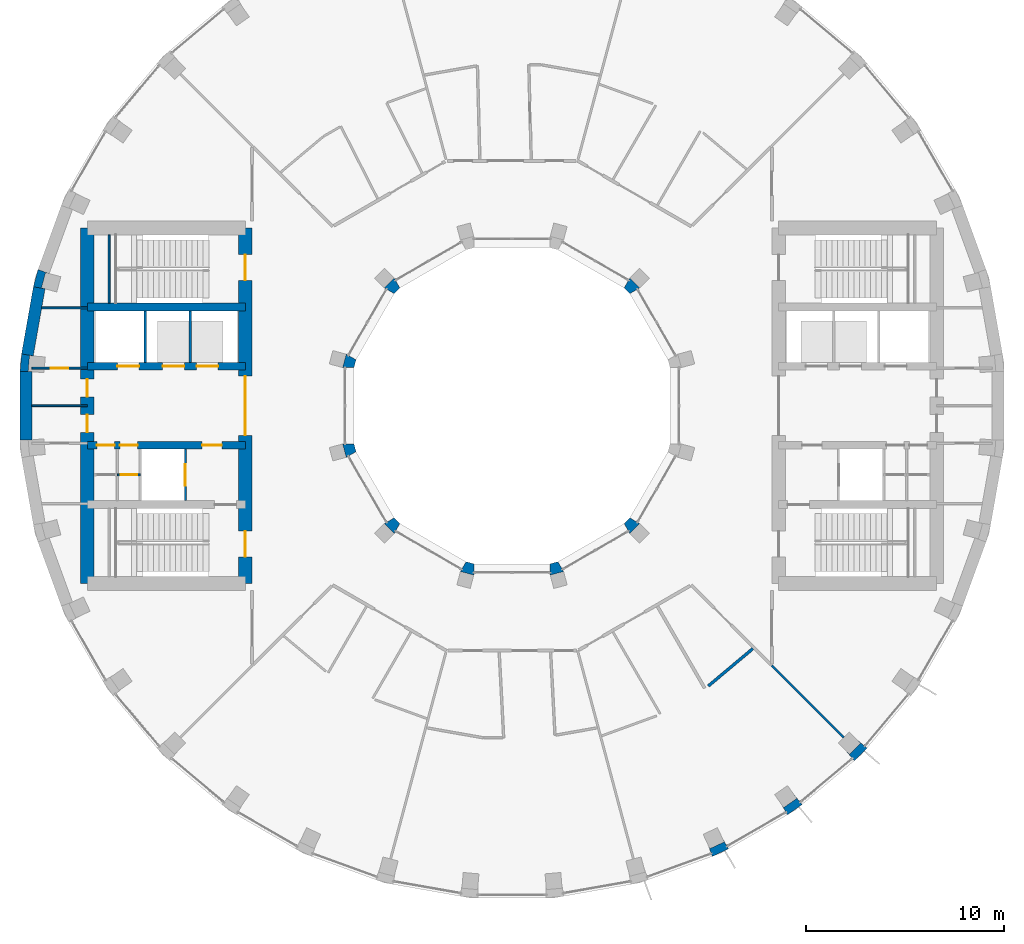
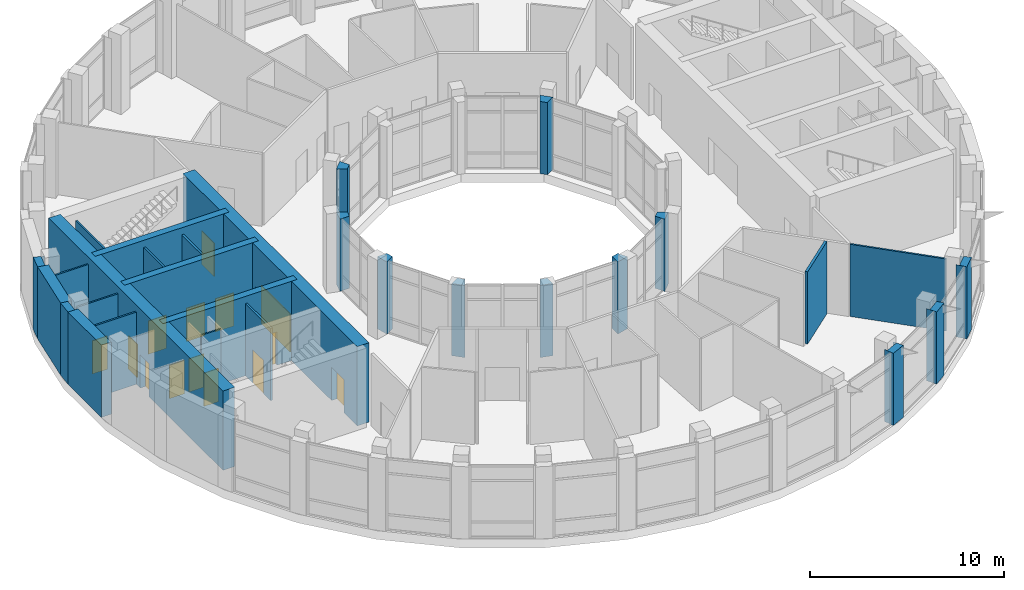
# One storey, part 12 of 18: 30 walls, 14 doors, 14 openings.
"""IFC4 building model written with IfcOpenShell, lengths in metres."""

import ifcopenshell
import ifcopenshell.guid

model = None  # the IFC model being written
_history = None  # IfcOwnerHistory: only IFC2X3 demands one
_inside = {}  # id of a spatial element -> (the spatial element, [elements in it])
_under = {}  # id of a project, library or spatial element -> (it, [spatial elements below it])
_declared = {}  # id of a project -> (the project, [libraries it declares])
_typed = {}  # id of a type object -> (the type object, [elements of that type])
_made_of = {}  # id of a material, layer set ... -> (it, [elements and type objects made of it])


def new_model(schema):
    """Start an empty IFC model of exactly this schema.

    Asked for "IFC4X3", IfcOpenShell would pick the latest addendum, in which some entities
    have other attributes; the version numbers below select the first issue.
    IFC2X3 requires an IfcOwnerHistory on every rooted entity: one is made here for all.
    """
    global model, _history
    if schema == "IFC4X3":
        model = ifcopenshell.file(schema_version=(4, 3, 0, 0))
    else:
        model = ifcopenshell.file(schema=schema)
    _inside.clear()
    _under.clear()
    _declared.clear()
    _typed.clear()
    _made_of.clear()
    _history = None
    if model.schema == "IFC2X3":
        org = make("IfcOrganization", Name="unknown")
        user = make(
            "IfcPersonAndOrganization",
            ThePerson=make("IfcPerson", FamilyName="unknown"),
            TheOrganization=org,
        )
        app = make(
            "IfcApplication",
            ApplicationDeveloper=org,
            Version="unknown",
            ApplicationFullName="unknown",
            ApplicationIdentifier="unknown",
        )
        _history = make(
            "IfcOwnerHistory",
            OwningUser=user,
            OwningApplication=app,
            ChangeAction="ADDED",
            CreationDate=0,
        )
    return model


def make(cls, **values):
    """One entity of the class cls with the attributes given. An attribute that is None is left unset."""
    return model.create_entity(
        cls, **{name: value for name, value in values.items() if value is not None}
    )


def rooted(cls, **values):
    """An entity with a GlobalId (a new one), such as an element, a storey or a relation."""
    return make(cls, GlobalId=ifcopenshell.guid.new(), OwnerHistory=_history, **values)


def si_unit(unit_type, name, prefix=None):
    """IfcSIUnit, for example si_unit("LENGTHUNIT", "METRE", prefix="MILLI")."""
    return make("IfcSIUnit", UnitType=unit_type, Prefix=prefix, Name=name)


def assignment(units):
    """IfcUnitAssignment: the units of a project."""
    return None if units is None else make("IfcUnitAssignment", Units=units)


def point(xyz):
    """IfcCartesianPoint."""
    return None if xyz is None else make("IfcCartesianPoint", Coordinates=xyz)


def direction(xyz):
    """IfcDirection."""
    return None if xyz is None else make("IfcDirection", DirectionRatios=xyz)


def frame(location, z_axis=None, x_axis=None):
    """IfcAxis2Placement3D, a coordinate frame: its origin and axes. An axis left out is left unset."""
    return make(
        "IfcAxis2Placement3D",
        Location=point(location),
        Axis=direction(z_axis),
        RefDirection=direction(x_axis),
    )


def frame_2d(location, x_axis=None):
    """IfcAxis2Placement2D, a coordinate frame in the plane: its origin and x axis."""
    return make(
        "IfcAxis2Placement2D", Location=point(location), RefDirection=direction(x_axis)
    )


def origin():
    """The frame at (0, 0, 0) with its axes left unset."""
    return frame((0.0, 0.0, 0.0))


def place(relative_to, where):
    """IfcLocalPlacement: puts the frame where relative to a parent placement (None: the world)."""
    return make(
        "IfcLocalPlacement", PlacementRelTo=relative_to, RelativePlacement=where
    )


def context(
    kind, dimensions, precision=None, world=None, true_north=None, identifier=None
):
    """IfcGeometricRepresentationContext, for example the 3D "Model" context."""
    return make(
        "IfcGeometricRepresentationContext",
        ContextIdentifier=identifier,
        ContextType=kind,
        CoordinateSpaceDimension=dimensions,
        Precision=precision,
        WorldCoordinateSystem=world,
        TrueNorth=true_north,
    )


def subcontext(parent, identifier, kind, view, scale=None):
    """IfcGeometricRepresentationSubContext, for example "Body" below "Model"."""
    return make(
        "IfcGeometricRepresentationSubContext",
        ContextIdentifier=identifier,
        ContextType=kind,
        ParentContext=parent,
        TargetScale=scale,
        TargetView=view,
    )


def project(units=None, contexts=None):
    """IfcProject with its units and contexts."""
    return rooted(
        "IfcProject",
        Name="project",
        RepresentationContexts=contexts,
        UnitsInContext=assignment(units),
    )


def spatial(cls, under=None, at=None, **own):
    """A site, building, storey or space (cls), placed at a placement, below another one or the project."""
    s = rooted(cls, ObjectPlacement=at, **own)
    if under is not None:
        _under.setdefault(under.id(), (under, []))[1].append(s)
    return s


def polyline(points):
    """IfcPolyline through the points."""
    return make("IfcPolyline", Points=[point(p) for p in points])


def profile(cls, at=None, kind="AREA", **sizes):
    """A parametric profile (cls). Its sizes go by their IFC names, for example OverallWidth=200.0."""
    return make(cls, ProfileType=kind, Position=at, **sizes)


def rectangle(**sizes):
    """IfcRectangleProfileDef."""
    return profile("IfcRectangleProfileDef", **sizes)


def outline(outer, holes=None, kind="AREA"):
    """IfcArbitraryClosedProfileDef: a profile drawn as a closed curve; with holes, ...WithVoids."""
    if holes is None:
        return make("IfcArbitraryClosedProfileDef", ProfileType=kind, OuterCurve=outer)
    return make(
        "IfcArbitraryProfileDefWithVoids",
        ProfileType=kind,
        OuterCurve=outer,
        InnerCurves=holes,
    )


def extrude(swept, where, along, depth):
    """IfcExtrudedAreaSolid: the profile swept, set in the frame where, extruded along a direction by depth."""
    return make(
        "IfcExtrudedAreaSolid",
        SweptArea=swept,
        Position=where,
        ExtrudedDirection=direction(along),
        Depth=depth,
    )


def shape(context_of_items, identifier, shape_type, items):
    """IfcShapeRepresentation: the items that make up one representation, for example the "Body"."""
    return make(
        "IfcShapeRepresentation",
        ContextOfItems=context_of_items,
        RepresentationIdentifier=identifier,
        RepresentationType=shape_type,
        Items=items,
    )


def material(Name=None, Category=None):
    """IfcMaterial."""
    return make("IfcMaterial", Name=Name, Category=Category)


def layer(
    of_material, thickness, ventilated=None, Name=None, Category=None, Priority=None
):
    """IfcMaterialLayer: one layer of a wall or slab, of a material (None: an air gap)."""
    return make(
        "IfcMaterialLayer",
        Material=of_material,
        LayerThickness=thickness,
        IsVentilated=ventilated,
        Name=Name,
        Category=Category,
        Priority=Priority,
    )


def layer_set(layers, Name=None):
    """IfcMaterialLayerSet."""
    return make("IfcMaterialLayerSet", MaterialLayers=layers, LayerSetName=Name)


def made_of(thing, what):
    """Note that an element or type object is made of a material, layer set ...; save() writes the relation."""
    if what is not None:
        _made_of.setdefault(what.id(), (what, []))[1].append(thing)
    return thing


def type_object(cls, material=None, **own):
    """A type object (cls), such as IfcWallType, which elements share."""
    return made_of(rooted(cls, **own), material)


def element(
    cls,
    number,
    at=None,
    inside=None,
    cuts=None,
    type_object=None,
    material=None,
    context=None,
    identifier="Body",
    shape_type=None,
    held_by="IfcProductDefinitionShape",
    body=None,
    shapes=None,
    **own,
):
    """One element of the class cls, such as IfcWall. Its Tag is "e" and its number.

    at: its placement. inside: the storey or other place that contains it. cuts: it is an
    opening in that element (IfcRelVoidsElement). A single representation is given by context,
    identifier, shape_type and body (its items); several are given by shapes. held_by: the class
    of the entity that holds the representations. save() writes the other relations.
    """
    e = rooted(cls, Tag="e%d" % number, ObjectPlacement=at, **own)
    if body is not None:
        shapes = [shape(context, identifier, shape_type, body)]
    if shapes is not None:
        e.Representation = make(held_by, Representations=shapes)
    if inside is not None:
        _inside.setdefault(inside.id(), (inside, []))[1].append(e)
    if cuts is not None:
        rooted(
            "IfcRelVoidsElement", RelatingBuildingElement=cuts, RelatedOpeningElement=e
        )
    if type_object is not None:
        _typed.setdefault(type_object.id(), (type_object, []))[1].append(e)
    return made_of(e, material)


def fill(opening, filler):
    """IfcRelFillsElement: the door or window that sits in an opening."""
    return rooted(
        "IfcRelFillsElement",
        RelatingOpeningElement=opening,
        RelatedBuildingElement=filler,
    )


def aggregate(whole, parts):
    """IfcRelAggregates: a whole, such as a stair, and the parts it consists of."""
    return rooted("IfcRelAggregates", RelatingObject=whole, RelatedObjects=parts)


def save(model, path):
    """Write the relations noted so far, then the file.

    IfcRelAggregates (storeys below a building ...), IfcRelContainedInSpatialStructure (elements
    in a storey), IfcRelDefinesByType, IfcRelAssociatesMaterial and IfcRelDeclares: one each for
    every whole, place, type object, material and project.
    """
    for whole, parts in _under.values():
        aggregate(whole, parts)
    for where, things in _inside.values():
        rooted(
            "IfcRelContainedInSpatialStructure",
            RelatedElements=things,
            RelatingStructure=where,
        )
    for kind, things in _typed.values():
        rooted("IfcRelDefinesByType", RelatedObjects=things, RelatingType=kind)
    for what, things in _made_of.values():
        rooted("IfcRelAssociatesMaterial", RelatedObjects=things, RelatingMaterial=what)
    for by, libraries in _declared.values():
        rooted("IfcRelDeclares", RelatingContext=by, RelatedDefinitions=libraries)
    model.write(path)


model = new_model("IFC4")

# Units and contexts
model_context = context("Model", 3, precision=1e-05, world=origin(), true_north=direction((0.0, 1.0)))
body_context = subcontext(model_context, "Body", "Model", "MODEL_VIEW")
ifc_project = project(units=[si_unit("LENGTHUNIT", "METRE"), si_unit("AREAUNIT", "SQUARE_METRE"), si_unit("VOLUMEUNIT", "CUBIC_METRE"), si_unit("PLANEANGLEUNIT", "RADIAN"), si_unit("MASSUNIT", "GRAM", prefix="KILO")], contexts=[model_context])

# Site, building, storey
site_placement = place(None, origin())
site = spatial("IfcSite", under=ifc_project, at=site_placement, CompositionType="ELEMENT")
building_placement = place(site_placement, origin())
building = spatial("IfcBuilding", under=site, at=building_placement, Name="Saqina Gate Tower", CompositionType="ELEMENT")
storey_placement = place(building_placement, frame((0.0, 0.0, 155.800048828125)))
storey = spatial("IfcBuildingStorey", under=building, at=storey_placement, Name="L44", CompositionType="ELEMENT", Elevation=155.800048828125)

# Walls
ifc_material_1 = material(Name="Brick masonry (buff)", Category="masonry")
wall_type_1 = type_object("IfcWallType", Name="BRICK PIER COPING BUFF", PredefinedType="SOLIDWALL", material=ifc_material_1)
wall_1_placement = place(storey_placement, origin())
element("IfcWall", 1, at=wall_1_placement, inside=storey, type_object=wall_type_1, Name="Pier cap L44 column 17", PredefinedType="SOLIDWALL", context=body_context, shape_type="SweptSolid", body=[
    extrude(outline(polyline([(-24.22705078125, 6.0234375), (-23.635986328125, 5.919189453125), (-23.81689453125, 5.967529296875), (-23.610107421875, 6.740478515625), (-23.428955078125, 6.69189453125), (-23.992919921875, 6.897216796875), (-24.22705078125, 6.0234375)])), origin(), (0.0, 0.0, 1.0), 4.550048828125),
])
wall_2_placement = place(storey_placement, origin())
element("IfcWall", 2, at=wall_2_placement, inside=storey, type_object=wall_type_1, Name="Pier cap L44 column 18", PredefinedType="SOLIDWALL", context=body_context, shape_type="SweptSolid", body=[
    extrude(outline(polyline([(-24.825927734375, 2.6259765625), (-24.90478515625, 1.724853515625), (-24.304931640625, 1.724853515625), (-24.491455078125, 1.7412109375), (-24.421630859375, 2.5380859375), (-24.235107421875, 2.521728515625), (-24.825927734375, 2.6259765625)])), origin(), (0.0, 0.0, 1.0), 4.550048828125),
])
wall_3_placement = place(storey_placement, origin())
element("IfcWall", 3, at=wall_3_placement, inside=storey, type_object=wall_type_1, Name="Pier cap L44 column 30", PredefinedType="SOLIDWALL", context=body_context, shape_type="SweptSolid", body=[
    extrude(outline(polyline([(10.958740234375, -22.4306640625), (10.65869140625, -21.9111328125), (10.73779296875, -22.080810546875), (10.0126953125, -22.4189453125), (9.93359375, -22.249267578125), (10.138916015625, -22.81298828125), (10.958740234375, -22.4306640625)])), origin(), (0.0, 0.0, 1.0), 4.550048828125),
])
wall_4_placement = place(storey_placement, origin())
element("IfcWall", 4, at=wall_4_placement, inside=storey, type_object=wall_type_1, Name="Pier cap L44 column 31", PredefinedType="SOLIDWALL", context=body_context, shape_type="SweptSolid", body=[
    extrude(outline(polyline([(13.9462890625, -20.705810546875), (14.687255859375, -20.18701171875), (14.301513671875, -19.727294921875), (14.408935546875, -19.880859375), (13.753662109375, -20.339599609375), (13.646240234375, -20.186279296875), (13.9462890625, -20.705810546875)])), origin(), (0.0, 0.0, 1.0), 4.550048828125),
])
wall_5_placement = place(storey_placement, origin())
element("IfcWall", 5, at=wall_5_placement, inside=storey, type_object=wall_type_1, Name="Pier cap L44 column 32", PredefinedType="SOLIDWALL", context=body_context, shape_type="SweptSolid", body=[
    extrude(outline(polyline([(17.969482421875, -17.329833984375), (17.510009765625, -16.944091796875), (17.642333984375, -17.07666015625), (17.07666015625, -17.642333984375), (16.944091796875, -17.510009765625), (17.329833984375, -17.969482421875), (17.969482421875, -17.329833984375)])), origin(), (0.0, 0.0, 1.0), 4.550048828125),
])
ifc_material_2 = material(Name="Gypsum board on steel studs", Category="steel")
ifc_layer_1 = layer(ifc_material_2, 0.10009765625)
ifc_layer_set_1 = layer_set([ifc_layer_1], Name="CORE PARTITION")
wall_type_2 = type_object("IfcWallType", Name="CORE PARTITION", PredefinedType="PARTITIONING", material=ifc_layer_set_1)
wall_6_placement = place(storey_placement, frame((-21.5, 4.949951171875, 0.0), z_axis=(0.0, 0.0, 1.0), x_axis=(-1.0, 0.0, 0.0)))
element("IfcWall", 6, at=wall_6_placement, inside=storey, type_object=wall_type_2, Name="L44-CP-W01", PredefinedType="PARTITIONING", context=body_context, shape_type="SweptSolid", body=[
    extrude(rectangle(XDim=2.306884765625, YDim=0.10009765625, at=frame_2d((1.1533203125, 0.0))), origin(), (0.0, 0.0, 1.0), 4.550048828125),
])

# Wall, opening, door
wall_7_placement = place(storey_placement, frame((-21.5, 1.89990234375, 0.0), z_axis=(0.0, 0.0, 1.0), x_axis=(-1.0, 0.0, 0.0)))
wall_7 = element("IfcWall", 7, at=wall_7_placement, inside=storey, type_object=wall_type_2, Name="L44-CP-W02", PredefinedType="PARTITIONING", context=body_context, shape_type="SweptSolid", body=[
    extrude(rectangle(XDim=2.804931640625, YDim=0.10009765625, at=frame_2d((1.40234375, 0.0))), origin(), (0.0, 0.0, 1.0), 4.550048828125),
])
opening_1_placement = place(wall_7_placement, frame((0.952392578125, 0.0, 0.0)))
opening_1 = element("IfcOpeningElement", 8, at=opening_1_placement, cuts=wall_7, Name="Opening L44-D106", PredefinedType="OPENING", context=body_context, shape_type="SweptSolid", body=[
    extrude(rectangle(XDim=0.89990234375, YDim=2.10009765625, at=frame_2d((0.449951171875, 1.050048828125))), frame((0.0, 0.06201171875, 0.0), z_axis=(0.0, -1.0, 0.0), x_axis=(1.0, 0.0, 0.0)), (0.0, 0.0, 1.0), 0.1240234375),
])
ifc_material_3 = material(Name="Steel-framed fire door leaf, EI 60", Category="steel")
door_type_1 = type_object("IfcDoorType", Name="SERVICE ROOM DOOR 900", OperationType="SINGLE_SWING_LEFT", PredefinedType="DOOR", material=ifc_material_3)
door_1_placement = place(opening_1_placement, frame((0.89990234375, 0.0, 0.0), z_axis=(0.0, 0.0, 1.0), x_axis=(-1.0, 0.0, 0.0)))
door_1 = element("IfcDoor", 9, at=door_1_placement, inside=storey, type_object=door_type_1, Name="L44-CD-W17", OperationType="SINGLE_SWING_RIGHT", OverallHeight=2.10009765625, OverallWidth=0.89990234375, PredefinedType="DOOR", context=body_context, shape_type="SweptSolid", body=[
    extrude(rectangle(XDim=0.89990234375, YDim=2.10009765625, at=frame_2d((0.449951171875, 1.050048828125))), frame((0.0, 0.02490234375, 0.0), z_axis=(0.0, -1.0, 0.0), x_axis=(1.0, 0.0, 0.0)), (0.0, 0.0, 1.0), 0.050048828125),
])
fill(opening_1, door_1)

# Wall
wall_8_placement = place(storey_placement, frame((-21.5, 0.0, 0.0), z_axis=(0.0, 0.0, 1.0), x_axis=(-1.0, 0.0, 0.0)))
element("IfcWall", 10, at=wall_8_placement, inside=storey, type_object=wall_type_2, Name="L44-CP-W05", PredefinedType="PARTITIONING", context=body_context, shape_type="SweptSolid", body=[
    extrude(rectangle(XDim=2.804931640625, YDim=0.10009765625, at=frame_2d((1.40234375, 0.0))), origin(), (0.0, 0.0, 1.0), 4.550048828125),
])

# Wall, opening, door
wall_9_placement = place(storey_placement, frame((-18.81005859375, -3.5, 0.0), z_axis=(0.0, 0.0, 1.0), x_axis=(-1.0, 0.0, 0.0)))
wall_9 = element("IfcWall", 11, at=wall_9_placement, inside=storey, type_object=wall_type_2, Name="L44-CP-W11", PredefinedType="PARTITIONING", context=body_context, shape_type="SweptSolid", body=[
    extrude(rectangle(XDim=1.169921875, YDim=0.10009765625, at=frame_2d((0.5849609375, 0.0))), origin(), (0.0, 0.0, 1.0), 4.550048828125),
])
opening_2_placement = place(wall_9_placement, frame((0.14990234375, 0.0, 0.0)))
opening_2 = element("IfcOpeningElement", 12, at=opening_2_placement, cuts=wall_9, Name="Opening L44-D110", PredefinedType="OPENING", context=body_context, shape_type="SweptSolid", body=[
    extrude(rectangle(XDim=0.85009765625, YDim=2.10009765625, at=frame_2d((0.425048828125, 1.050048828125))), frame((0.0, 0.06201171875, 0.0), z_axis=(0.0, -1.0, 0.0), x_axis=(1.0, 0.0, 0.0)), (0.0, 0.0, 1.0), 0.1240234375),
])
ifc_material_4 = material(Name="Steel-framed fire door leaf, EI 60", Category="steel")
door_type_2 = type_object("IfcDoorType", Name="SERVICE ROOM DOOR 850", OperationType="SINGLE_SWING_LEFT", PredefinedType="DOOR", material=ifc_material_4)
door_2_placement = place(opening_2_placement, origin())
door_2 = element("IfcDoor", 13, at=door_2_placement, inside=storey, type_object=door_type_2, Name="L44-CD-W21", OperationType="SINGLE_SWING_LEFT", OverallHeight=2.10009765625, OverallWidth=0.85009765625, PredefinedType="DOOR", context=body_context, shape_type="SweptSolid", body=[
    extrude(rectangle(XDim=0.85009765625, YDim=2.10009765625, at=frame_2d((0.425048828125, 1.050048828125))), frame((0.0, 0.02490234375, 0.0), z_axis=(0.0, -1.0, 0.0), x_axis=(1.0, 0.0, 0.0)), (0.0, 0.0, 1.0), 0.050048828125),
])
fill(opening_2, door_2)

# Walls
ifc_material_5 = material(Name="Glazed ceramic tile", Category="ceramic")
ifc_layer_2 = layer(ifc_material_5, 0.60009765625)
ifc_layer_set_2 = layer_set([ifc_layer_2], Name="FW-TILE")
wall_type_3 = type_object("IfcWallType", Name="FW-TILE", PredefinedType="SOLIDWALL", material=ifc_layer_set_2)
wall_10_placement = place(storey_placement, frame((-23.931640625, 5.97119140625, 0.0), z_axis=(0.0, 0.0, 1.0), x_axis=(-0.173607684551, -0.984814892183, 0.0)))
element("IfcWall", 14, at=wall_10_placement, inside=storey, type_object=wall_type_3, Name="Facade wall L44 facet 17", PredefinedType="SOLIDWALL", context=body_context, shape_type="SweptSolid", body=[
    extrude(rectangle(XDim=3.44970703125, YDim=0.60009765625, at=frame_2d((1.724853515625, 0.0))), origin(), (0.0, 0.0, 1.0), 4.550048828125),
])
ifc_material_6 = material(Name="Glazed ceramic tile (dark blue)", Category="ceramic")
ifc_layer_3 = layer(ifc_material_6, 0.60009765625)
ifc_layer_set_3 = layer_set([ifc_layer_3], Name="FW-TILE-CB")
wall_type_4 = type_object("IfcWallType", Name="FW-TILE-CB", PredefinedType="SOLIDWALL", material=ifc_layer_set_3)
wall_11_placement = place(storey_placement, frame((-24.60498046875, 1.724853515625, 0.0), z_axis=(0.0, 0.0, 1.0), x_axis=(0.0, -1.0, 0.0)))
element("IfcWall", 15, at=wall_11_placement, inside=storey, type_object=wall_type_4, Name="Facade wall L44 facet 18", PredefinedType="SOLIDWALL", context=body_context, shape_type="SweptSolid", body=[
    extrude(rectangle(XDim=3.44970703125, YDim=0.60009765625, at=frame_2d((1.724853515625, 0.0))), origin(), (0.0, 0.0, 1.0), 4.550048828125),
])
ifc_material_7 = material(Name="Autoclaved aerated concrete block", Category="concrete")
ifc_layer_4 = layer(ifc_material_7, 0.1201171875)
ifc_layer_set_4 = layer_set([ifc_layer_4], Name="SHAFT PARTITION")
wall_type_5 = type_object("IfcWallType", Name="SHAFT PARTITION", PredefinedType="PARTITIONING", material=ifc_layer_set_4)
for number, where, z_axis, x_axis, name in (
    (16, (-16.280029296875, 2.199951171875, 0.0), (0.0, 0.0, 1.0), (0.0, 1.0, 0.0), "L44-CP-W06"),
    (17, (-18.56005859375, 2.199951171875, 0.0), (0.0, 0.0, 1.0), (0.0, 1.0, 0.0), "L44-CP-W07"),
):
    element("IfcWall", number, at=place(storey_placement, frame(where, z_axis=z_axis, x_axis=x_axis)), inside=storey, type_object=wall_type_5, Name=name, PredefinedType="PARTITIONING", context=body_context, shape_type="SweptSolid", body=[
        extrude(rectangle(XDim=2.60009765625, YDim=0.1201171875, at=frame_2d((1.300048828125, 0.0))), origin(), (0.0, 0.0, 1.0), 4.550048828125),
    ])

# Wall, opening, door
wall_12_placement = place(storey_placement, frame((-16.530029296875, -4.800048828125, 0.0), z_axis=(0.0, 0.0, 1.0), x_axis=(0.0, 1.0, 0.0)))
wall_12 = element("IfcWall", 18, at=wall_12_placement, inside=storey, type_object=wall_type_5, Name="L44-CP-W08", PredefinedType="PARTITIONING", context=body_context, shape_type="SweptSolid", body=[
    extrude(rectangle(XDim=2.60009765625, YDim=0.1201171875, at=frame_2d((1.300048828125, 0.0))), origin(), (0.0, 0.0, 1.0), 4.550048828125),
])
opening_3_placement = place(wall_12_placement, frame((0.75, 0.0, 0.0)))
opening_3 = element("IfcOpeningElement", 19, at=opening_3_placement, cuts=wall_12, Name="Opening L44-LD8", PredefinedType="OPENING", context=body_context, shape_type="SweptSolid", body=[
    extrude(rectangle(XDim=1.10009765625, YDim=2.10009765625, at=frame_2d((0.550048828125, 1.050048828125))), frame((0.0, 0.072021484375, 0.0), z_axis=(0.0, -1.0, 0.0), x_axis=(1.0, 0.0, 0.0)), (0.0, 0.0, 1.0), 0.14404296875),
])
ifc_material_8 = material(Name="Stainless steel", Category="steel")
door_type_3 = type_object("IfcDoorType", Name="LANDING DOOR", OperationType="DOUBLE_DOOR_SLIDING", PredefinedType="DOOR", material=ifc_material_8)
door_3_placement = place(opening_3_placement, origin())
door_3 = element("IfcDoor", 20, at=door_3_placement, inside=storey, type_object=door_type_3, Name="LANDING DOOR FF2", OperationType="DOUBLE_DOOR_SLIDING", OverallHeight=2.10009765625, OverallWidth=1.10009765625, PredefinedType="DOOR", context=body_context, shape_type="SweptSolid", body=[
    extrude(rectangle(XDim=1.10009765625, YDim=2.10009765625, at=frame_2d((0.550048828125, 1.050048828125))), frame((0.0, 0.02490234375, 0.0), z_axis=(0.0, -1.0, 0.0), x_axis=(1.0, 0.0, 0.0)), (0.0, 0.0, 1.0), 0.050048828125),
])
fill(opening_3, door_3)

# Walls
ifc_material_9 = material(Name="Gypsum board on steel studs, 100 mm", Category="steel")
ifc_layer_5 = layer(ifc_material_9, 0.10009765625)
ifc_layer_set_5 = layer_set([ifc_layer_5], Name="SPECIAL PARTITION 100")
wall_type_6 = type_object("IfcWallType", Name="SPECIAL PARTITION 100", PredefinedType="PARTITIONING", material=ifc_layer_set_5)
wall_13_placement = place(storey_placement, frame((13.14990234375, -13.14990234375, 0.0), z_axis=(0.0, 0.0, 1.0), x_axis=(0.707106781187, -0.707106781187, 0.0)))
element("IfcWall", 21, at=wall_13_placement, inside=storey, type_object=wall_type_6, Name="PARTITION 012", PredefinedType="PARTITIONING", context=body_context, shape_type="SweptSolid", body=[
    extrude(rectangle(XDim=5.14306640625, YDim=0.10009765625, at=frame_2d((2.571533203125, 0.0))), origin(), (0.0, 0.0, 1.0), 4.550048828125),
])
ifc_material_10 = material(Name="Masonry block and plaster, 150 mm, fire rated", Category="masonry")
ifc_layer_6 = layer(ifc_material_10, 0.14990234375)
ifc_layer_set_6 = layer_set([ifc_layer_6], Name="SPECIAL PARTITION EI 60 150")
wall_type_7 = type_object("IfcWallType", Name="SPECIAL PARTITION EI 60 150", PredefinedType="PARTITIONING", material=ifc_layer_set_6)
wall_14_placement = place(storey_placement, frame((9.93505859375, -14.18798828125, 0.0), z_axis=(0.0, 0.0, 1.0), x_axis=(0.766150707514, 0.642660947448, 0.0)))
element("IfcWall", 22, at=wall_14_placement, inside=storey, type_object=wall_type_7, Name="PARTITION 034", PredefinedType="PARTITIONING", context=body_context, shape_type="SweptSolid", body=[
    extrude(rectangle(XDim=2.94384765625, YDim=0.14990234375, at=frame_2d((1.471923828125, 0.0))), origin(), (0.0, 0.0, 1.0), 4.550048828125),
])
ifc_material_11 = material(Name="Autoclaved aerated concrete block", Category="concrete")
ifc_layer_7 = layer(ifc_material_11, 0.10009765625)
ifc_layer_set_7 = layer_set([ifc_layer_7], Name="STAIR ENCLOSURE WALL")
wall_type_8 = type_object("IfcWallType", Name="STAIR ENCLOSURE WALL", PredefinedType="PARTITIONING", material=ifc_layer_set_7)
wall_15_placement = place(storey_placement, frame((-20.389892578125, 5.199951171875, 0.0), z_axis=(0.0, 0.0, 1.0), x_axis=(0.0, 1.0, 0.0)))
element("IfcWall", 23, at=wall_15_placement, inside=storey, type_object=wall_type_8, Name="L44-CP-W13", PredefinedType="PARTITIONING", context=body_context, shape_type="SweptSolid", body=[
    extrude(rectangle(XDim=3.449951171875, YDim=0.10009765625, at=frame_2d((1.72509765625, 0.0))), origin(), (0.0, 0.0, 1.0), 4.550048828125),
])
ifc_material_12 = material(Name="Concrete C60/75", Category="concrete")
ifc_layer_8 = layer(ifc_material_12, 0.39990234375)
ifc_layer_set_8 = layer_set([ifc_layer_8], Name="Concrete C60/75")
wall_type_9 = type_object("IfcWallType", Name="STR-CORE WALL-C-I", PredefinedType="SHEAR", material=ifc_layer_set_8)
wall_16_placement = place(storey_placement, frame((-13.5, 5.0, 0.0), z_axis=(0.0, 0.0, 1.0), x_axis=(-1.0, 0.0, 0.0)))
element("IfcWall", 24, at=wall_16_placement, inside=storey, type_object=wall_type_9, Name="CORE WALL L44 W-X1", PredefinedType="SHEAR", context=body_context, shape_type="SweptSolid", body=[
    extrude(rectangle(XDim=8.0, YDim=0.39990234375, at=frame_2d((4.0, 0.0))), origin(), (0.0, 0.0, 1.0), 5.0),
])

# Wall, openings, doors
wall_17_placement = place(storey_placement, frame((-13.5, 2.0, 0.0), z_axis=(0.0, 0.0, 1.0), x_axis=(-1.0, 0.0, 0.0)))
wall_17 = element("IfcWall", 25, at=wall_17_placement, inside=storey, type_object=wall_type_9, Name="CORE WALL L44 W-L1", PredefinedType="SHEAR", context=body_context, shape_type="SweptSolid", body=[
    extrude(rectangle(XDim=8.0, YDim=0.39990234375, at=frame_2d((4.0, 0.0))), origin(), (0.0, 0.0, 1.0), 5.0),
])
opening_4_placement = place(wall_17_placement, frame((1.3701171875, 0.0, 0.0)))
opening_4 = element("IfcOpeningElement", 26, at=opening_4_placement, cuts=wall_17, Name="Opening L44-LD5", PredefinedType="OPENING", context=body_context, shape_type="SweptSolid", body=[
    extrude(rectangle(XDim=1.10009765625, YDim=2.10009765625, at=frame_2d((0.550048828125, 1.050048828125))), frame((0.0, 0.2119140625, 0.0), z_axis=(0.0, -1.0, 0.0), x_axis=(1.0, 0.0, 0.0)), (0.0, 0.0, 1.0), 0.423828125),
])
opening_5_placement = place(wall_17_placement, frame((3.090087890625, 0.0, 0.0)))
opening_5 = element("IfcOpeningElement", 27, at=opening_5_placement, cuts=wall_17, Name="Opening L44-LD6", PredefinedType="OPENING", context=body_context, shape_type="SweptSolid", body=[
    extrude(rectangle(XDim=1.10009765625, YDim=2.10009765625, at=frame_2d((0.550048828125, 1.050048828125))), frame((0.0, 0.2119140625, 0.0), z_axis=(0.0, -1.0, 0.0), x_axis=(1.0, 0.0, 0.0)), (0.0, 0.0, 1.0), 0.423828125),
])
opening_6_placement = place(wall_17_placement, frame((5.3701171875, 0.0, 0.0)))
opening_6 = element("IfcOpeningElement", 28, at=opening_6_placement, cuts=wall_17, Name="Opening L44-LD7", PredefinedType="OPENING", context=body_context, shape_type="SweptSolid", body=[
    extrude(rectangle(XDim=1.10009765625, YDim=2.10009765625, at=frame_2d((0.550048828125, 1.050048828125))), frame((0.0, 0.2119140625, 0.0), z_axis=(0.0, -1.0, 0.0), x_axis=(1.0, 0.0, 0.0)), (0.0, 0.0, 1.0), 0.423828125),
])
door_4_placement = place(opening_4_placement, origin())
door_4 = element("IfcDoor", 29, at=door_4_placement, inside=storey, type_object=door_type_3, Name="LANDING DOOR HR3", OperationType="DOUBLE_DOOR_SLIDING", OverallHeight=2.10009765625, OverallWidth=1.10009765625, PredefinedType="DOOR", context=body_context, shape_type="SweptSolid", body=[
    extrude(rectangle(XDim=1.10009765625, YDim=2.10009765625, at=frame_2d((0.550048828125, 1.050048828125))), frame((0.0, 0.02490234375, 0.0), z_axis=(0.0, -1.0, 0.0), x_axis=(1.0, 0.0, 0.0)), (0.0, 0.0, 1.0), 0.050048828125),
])
fill(opening_4, door_4)
door_5_placement = place(opening_5_placement, origin())
door_5 = element("IfcDoor", 30, at=door_5_placement, inside=storey, type_object=door_type_3, Name="LANDING DOOR HR4", OperationType="DOUBLE_DOOR_SLIDING", OverallHeight=2.10009765625, OverallWidth=1.10009765625, PredefinedType="DOOR", context=body_context, shape_type="SweptSolid", body=[
    extrude(rectangle(XDim=1.10009765625, YDim=2.10009765625, at=frame_2d((0.550048828125, 1.050048828125))), frame((0.0, 0.02490234375, 0.0), z_axis=(0.0, -1.0, 0.0), x_axis=(1.0, 0.0, 0.0)), (0.0, 0.0, 1.0), 0.050048828125),
])
fill(opening_5, door_5)
door_6_placement = place(opening_6_placement, origin())
door_6 = element("IfcDoor", 31, at=door_6_placement, inside=storey, type_object=door_type_3, Name="LANDING DOOR MR2", OperationType="DOUBLE_DOOR_SLIDING", OverallHeight=2.10009765625, OverallWidth=1.10009765625, PredefinedType="DOOR", context=body_context, shape_type="SweptSolid", body=[
    extrude(rectangle(XDim=1.10009765625, YDim=2.10009765625, at=frame_2d((0.550048828125, 1.050048828125))), frame((0.0, 0.02490234375, 0.0), z_axis=(0.0, -1.0, 0.0), x_axis=(1.0, 0.0, 0.0)), (0.0, 0.0, 1.0), 0.050048828125),
])
fill(opening_6, door_6)

wall_18_placement = place(storey_placement, frame((-13.5, -2.0, 0.0), z_axis=(0.0, 0.0, 1.0), x_axis=(-1.0, 0.0, 0.0)))
wall_18 = element("IfcWall", 32, at=wall_18_placement, inside=storey, type_object=wall_type_9, Name="CORE WALL L44 W-L2", PredefinedType="SHEAR", context=body_context, shape_type="SweptSolid", body=[
    extrude(rectangle(XDim=8.0, YDim=0.39990234375, at=frame_2d((4.0, 0.0))), origin(), (0.0, 0.0, 1.0), 5.0),
])
opening_7_placement = place(wall_18_placement, frame((1.18994140625, 0.0, 0.0)))
opening_7 = element("IfcOpeningElement", 33, at=opening_7_placement, cuts=wall_18, Name="Opening L44-D103", PredefinedType="OPENING", context=body_context, shape_type="SweptSolid", body=[
    extrude(rectangle(XDim=1.0, YDim=2.10009765625, at=frame_2d((0.5, 1.050048828125))), frame((0.0, 0.2119140625, 0.0), z_axis=(0.0, -1.0, 0.0), x_axis=(1.0, 0.0, 0.0)), (0.0, 0.0, 1.0), 0.423828125),
])
opening_8_placement = place(wall_18_placement, frame((5.445068359375, 0.0, 0.0)))
opening_8 = element("IfcOpeningElement", 34, at=opening_8_placement, cuts=wall_18, Name="Opening L44-D104", PredefinedType="OPENING", context=body_context, shape_type="SweptSolid", body=[
    extrude(rectangle(XDim=0.89990234375, YDim=2.10009765625, at=frame_2d((0.449951171875, 1.050048828125))), frame((0.0, 0.2119140625, 0.0), z_axis=(0.0, -1.0, 0.0), x_axis=(1.0, 0.0, 0.0)), (0.0, 0.0, 1.0), 0.423828125),
])
opening_9_placement = place(wall_18_placement, frame((6.614990234375, 0.0, 0.0)))
opening_9 = element("IfcOpeningElement", 35, at=opening_9_placement, cuts=wall_18, Name="Opening L44-D105", PredefinedType="OPENING", context=body_context, shape_type="SweptSolid", body=[
    extrude(rectangle(XDim=0.89990234375, YDim=2.10009765625, at=frame_2d((0.449951171875, 1.050048828125))), frame((0.0, 0.2119140625, 0.0), z_axis=(0.0, -1.0, 0.0), x_axis=(1.0, 0.0, 0.0)), (0.0, 0.0, 1.0), 0.423828125),
])
ifc_material_13 = material(Name="Steel", Category="steel")
door_type_4 = type_object("IfcDoorType", Name="FIRE LOBBY DOOR EI 60", OperationType="SINGLE_SWING_LEFT", PredefinedType="DOOR", material=ifc_material_13)
door_7_placement = place(opening_7_placement, frame((1.0, 0.0, 0.0), z_axis=(0.0, 0.0, 1.0), x_axis=(-1.0, 0.0, 0.0)))
door_7 = element("IfcDoor", 36, at=door_7_placement, inside=storey, type_object=door_type_4, Name="L44-CD-W14", OperationType="SINGLE_SWING_RIGHT", OverallHeight=2.10009765625, OverallWidth=1.0, PredefinedType="DOOR", context=body_context, shape_type="SweptSolid", body=[
    extrude(rectangle(XDim=1.0, YDim=2.10009765625, at=frame_2d((0.5, 1.050048828125))), frame((0.0, 0.02490234375, 0.0), z_axis=(0.0, -1.0, 0.0), x_axis=(1.0, 0.0, 0.0)), (0.0, 0.0, 1.0), 0.050048828125),
])
fill(opening_7, door_7)
door_8_placement = place(opening_8_placement, origin())
door_8 = element("IfcDoor", 37, at=door_8_placement, inside=storey, type_object=door_type_1, Name="L44-CD-W15", OperationType="SINGLE_SWING_LEFT", OverallHeight=2.10009765625, OverallWidth=0.89990234375, PredefinedType="DOOR", context=body_context, shape_type="SweptSolid", body=[
    extrude(rectangle(XDim=0.89990234375, YDim=2.10009765625, at=frame_2d((0.449951171875, 1.050048828125))), frame((0.0, 0.02490234375, 0.0), z_axis=(0.0, -1.0, 0.0), x_axis=(1.0, 0.0, 0.0)), (0.0, 0.0, 1.0), 0.050048828125),
])
fill(opening_8, door_8)
door_9_placement = place(opening_9_placement, origin())
door_9 = element("IfcDoor", 38, at=door_9_placement, inside=storey, type_object=door_type_1, Name="L44-CD-W16", OperationType="SINGLE_SWING_RIGHT", OverallHeight=2.10009765625, OverallWidth=0.89990234375, PredefinedType="DOOR", context=body_context, shape_type="SweptSolid", body=[
    extrude(rectangle(XDim=0.89990234375, YDim=2.10009765625, at=frame_2d((0.449951171875, 1.050048828125))), frame((0.0, 0.02490234375, 0.0), z_axis=(0.0, -1.0, 0.0), x_axis=(1.0, 0.0, 0.0)), (0.0, 0.0, 1.0), 0.050048828125),
])
fill(opening_9, door_9)

ifc_material_14 = material(Name="Concrete C60/75", Category="concrete")
ifc_layer_9 = layer(ifc_material_14, 0.699951171875)
ifc_layer_set_9 = layer_set([ifc_layer_9], Name="Concrete C60/75")
wall_type_10 = type_object("IfcWallType", Name="STR-CORE WALL-C-O", PredefinedType="SHEAR", material=ifc_layer_set_9)
wall_19_placement = place(storey_placement, frame((-13.5, -9.0, 0.0), z_axis=(0.0, 0.0, 1.0), x_axis=(0.0, 1.0, 0.0)))
wall_19 = element("IfcWall", 39, at=wall_19_placement, inside=storey, type_object=wall_type_10, Name="CORE WALL L44 W-W1", PredefinedType="SHEAR", context=body_context, shape_type="SweptSolid", body=[
    extrude(rectangle(XDim=18.0, YDim=0.699951171875, at=frame_2d((9.0, 0.0))), origin(), (0.0, 0.0, 1.0), 5.0),
])
opening_10_placement = place(wall_19_placement, frame((15.35009765625, 0.0, 0.0)))
opening_10 = element("IfcOpeningElement", 40, at=opening_10_placement, cuts=wall_19, Name="Opening L44-D113", PredefinedType="OPENING", context=body_context, shape_type="SweptSolid", body=[
    extrude(rectangle(XDim=1.300048828125, YDim=2.10009765625, at=frame_2d((0.64990234375, 1.050048828125))), frame((0.0, 0.362060546875, 0.0), z_axis=(0.0, -1.0, 0.0), x_axis=(1.0, 0.0, 0.0)), (0.0, 0.0, 1.0), 0.723876953125),
])
opening_11_placement = place(wall_19_placement, frame((1.35009765625, 0.0, 0.0)))
opening_11 = element("IfcOpeningElement", 41, at=opening_11_placement, cuts=wall_19, Name="Opening L44-D114", PredefinedType="OPENING", context=body_context, shape_type="SweptSolid", body=[
    extrude(rectangle(XDim=1.300048828125, YDim=2.10009765625, at=frame_2d((0.64990234375, 1.050048828125))), frame((0.0, 0.362060546875, 0.0), z_axis=(0.0, -1.0, 0.0), x_axis=(1.0, 0.0, 0.0)), (0.0, 0.0, 1.0), 0.723876953125),
])
opening_12_placement = place(wall_19_placement, frame((7.5, 0.0, 0.0)))
opening_12 = element("IfcOpeningElement", 42, at=opening_12_placement, cuts=wall_19, Name="Opening L44-D115", PredefinedType="OPENING", context=body_context, shape_type="SweptSolid", body=[
    extrude(rectangle(XDim=3.0, YDim=2.39990234375, at=frame_2d((1.5, 1.199951171875))), frame((0.0, 0.362060546875, 0.0), z_axis=(0.0, -1.0, 0.0), x_axis=(1.0, 0.0, 0.0)), (0.0, 0.0, 1.0), 0.723876953125),
])
ifc_material_15 = material(Name="Steel", Category="steel")
door_type_5 = type_object("IfcDoorType", Name="FIRE DOOR EI 60 1300", OperationType="DOUBLE_DOOR_SINGLE_SWING", PredefinedType="DOOR", material=ifc_material_15)
door_10_placement = place(opening_10_placement, origin())
door_10 = element("IfcDoor", 43, at=door_10_placement, inside=storey, type_object=door_type_5, Name="L44-CD-W24", OperationType="DOUBLE_DOOR_SINGLE_SWING", OverallHeight=2.10009765625, OverallWidth=1.300048828125, PredefinedType="DOOR", context=body_context, shape_type="SweptSolid", body=[
    extrude(rectangle(XDim=1.300048828125, YDim=2.10009765625, at=frame_2d((0.64990234375, 1.050048828125))), frame((0.0, 0.02490234375, 0.0), z_axis=(0.0, -1.0, 0.0), x_axis=(1.0, 0.0, 0.0)), (0.0, 0.0, 1.0), 0.050048828125),
])
fill(opening_10, door_10)
door_11_placement = place(opening_11_placement, origin())
door_11 = element("IfcDoor", 44, at=door_11_placement, inside=storey, type_object=door_type_5, Name="L44-CD-W25", OperationType="DOUBLE_DOOR_SINGLE_SWING", OverallHeight=2.10009765625, OverallWidth=1.300048828125, PredefinedType="DOOR", context=body_context, shape_type="SweptSolid", body=[
    extrude(rectangle(XDim=1.300048828125, YDim=2.10009765625, at=frame_2d((0.64990234375, 1.050048828125))), frame((0.0, 0.02490234375, 0.0), z_axis=(0.0, -1.0, 0.0), x_axis=(1.0, 0.0, 0.0)), (0.0, 0.0, 1.0), 0.050048828125),
])
fill(opening_11, door_11)
ifc_material_16 = material(Name="Steel and fire-resisting glass", Category="steel")
door_type_6 = type_object("IfcDoorType", Name="LOBBY SCREEN DOOR", OperationType="DOUBLE_DOOR_SLIDING", PredefinedType="DOOR", material=ifc_material_16)
door_12_placement = place(opening_12_placement, origin())
door_12 = element("IfcDoor", 45, at=door_12_placement, inside=storey, type_object=door_type_6, Name="L44-CD-W26", OperationType="DOUBLE_DOOR_SLIDING", OverallHeight=2.39990234375, OverallWidth=3.0, PredefinedType="DOOR", context=body_context, shape_type="SweptSolid", body=[
    extrude(rectangle(XDim=3.0, YDim=2.39990234375, at=frame_2d((1.5, 1.199951171875))), frame((0.0, 0.02490234375, 0.0), z_axis=(0.0, -1.0, 0.0), x_axis=(1.0, 0.0, 0.0)), (0.0, 0.0, 1.0), 0.050048828125),
])
fill(opening_12, door_12)

wall_20_placement = place(storey_placement, frame((-21.5, -9.0, 0.0), z_axis=(0.0, 0.0, 1.0), x_axis=(0.0, 1.0, 0.0)))
wall_20 = element("IfcWall", 46, at=wall_20_placement, inside=storey, type_object=wall_type_10, Name="CORE WALL L44 W-W2", PredefinedType="SHEAR", context=body_context, shape_type="SweptSolid", body=[
    extrude(rectangle(XDim=18.0, YDim=0.699951171875, at=frame_2d((9.0, 0.0))), origin(), (0.0, 0.0, 1.0), 5.0),
])
opening_13_placement = place(wall_20_placement, frame((9.449951171875, 0.0, 0.0)))
opening_13 = element("IfcOpeningElement", 47, at=opening_13_placement, cuts=wall_20, Name="Opening L44-D107", PredefinedType="OPENING", context=body_context, shape_type="SweptSolid", body=[
    extrude(rectangle(XDim=0.89990234375, YDim=2.10009765625, at=frame_2d((0.449951171875, 1.050048828125))), frame((0.0, 0.362060546875, 0.0), z_axis=(0.0, -1.0, 0.0), x_axis=(1.0, 0.0, 0.0)), (0.0, 0.0, 1.0), 0.723876953125),
])
opening_14_placement = place(wall_20_placement, frame((7.64990234375, 0.0, 0.0)))
opening_14 = element("IfcOpeningElement", 48, at=opening_14_placement, cuts=wall_20, Name="Opening L44-D109", PredefinedType="OPENING", context=body_context, shape_type="SweptSolid", body=[
    extrude(rectangle(XDim=0.89990234375, YDim=2.10009765625, at=frame_2d((0.449951171875, 1.050048828125))), frame((0.0, 0.362060546875, 0.0), z_axis=(0.0, -1.0, 0.0), x_axis=(1.0, 0.0, 0.0)), (0.0, 0.0, 1.0), 0.723876953125),
])
door_13_placement = place(opening_13_placement, origin())
door_13 = element("IfcDoor", 49, at=door_13_placement, inside=storey, type_object=door_type_1, Name="L44-CD-W18", OperationType="SINGLE_SWING_RIGHT", OverallHeight=2.10009765625, OverallWidth=0.89990234375, PredefinedType="DOOR", context=body_context, shape_type="SweptSolid", body=[
    extrude(rectangle(XDim=0.89990234375, YDim=2.10009765625, at=frame_2d((0.449951171875, 1.050048828125))), frame((0.0, 0.02490234375, 0.0), z_axis=(0.0, -1.0, 0.0), x_axis=(1.0, 0.0, 0.0)), (0.0, 0.0, 1.0), 0.050048828125),
])
fill(opening_13, door_13)
door_14_placement = place(opening_14_placement, origin())
door_14 = element("IfcDoor", 50, at=door_14_placement, inside=storey, type_object=door_type_1, Name="L44-CD-W20", OperationType="SINGLE_SWING_LEFT", OverallHeight=2.10009765625, OverallWidth=0.89990234375, PredefinedType="DOOR", context=body_context, shape_type="SweptSolid", body=[
    extrude(rectangle(XDim=0.89990234375, YDim=2.10009765625, at=frame_2d((0.449951171875, 1.050048828125))), frame((0.0, 0.02490234375, 0.0), z_axis=(0.0, -1.0, 0.0), x_axis=(1.0, 0.0, 0.0)), (0.0, 0.0, 1.0), 0.050048828125),
])
fill(opening_14, door_14)

# Walls
ifc_material_17 = material(Name="Glazed ceramic tile", Category="ceramic")
wall_type_11 = type_object("IfcWallType", Name="TILE PIER COPING", PredefinedType="SOLIDWALL", material=ifc_material_17)
wall_21_placement = place(storey_placement, origin())
element("IfcWall", 51, at=wall_21_placement, inside=storey, type_object=wall_type_11, Name="Well pier cap L44 column 2", PredefinedType="SOLIDWALL", context=body_context, shape_type="SweptSolid", body=[
    extrude(outline(polyline([(5.96240234375, 6.45751953125), (5.67578125, 5.960693359375), (5.960693359375, 5.67578125), (6.45751953125, 5.96240234375), (5.96240234375, 6.45751953125)])), origin(), (0.0, 0.0, 1.0), 4.550048828125),
])
wall_22_placement = place(storey_placement, origin())
element("IfcWall", 52, at=wall_22_placement, inside=storey, type_object=wall_type_11, Name="Well pier cap L44 column 5", PredefinedType="SOLIDWALL", context=body_context, shape_type="SweptSolid", body=[
    extrude(outline(polyline([(-6.45751953125, 5.96240234375), (-5.960693359375, 5.67578125), (-5.67578125, 5.960693359375), (-5.96240234375, 6.45751953125), (-6.45751953125, 5.96240234375)])), origin(), (0.0, 0.0, 1.0), 4.550048828125),
])
wall_23_placement = place(storey_placement, origin())
element("IfcWall", 53, at=wall_23_placement, inside=storey, type_object=wall_type_11, Name="Well pier cap L44 column 6", PredefinedType="SOLIDWALL", context=body_context, shape_type="SweptSolid", body=[
    extrude(outline(polyline([(-8.573486328125, 1.934814453125), (-8.0, 1.934814453125), (-7.895751953125, 2.32421875), (-8.392333984375, 2.611083984375), (-8.573486328125, 1.934814453125)])), origin(), (0.0, 0.0, 1.0), 4.550048828125),
])
wall_24_placement = place(storey_placement, origin())
element("IfcWall", 54, at=wall_24_placement, inside=storey, type_object=wall_type_11, Name="Well pier cap L44 column 7", PredefinedType="SOLIDWALL", context=body_context, shape_type="SweptSolid", body=[
    extrude(outline(polyline([(-8.0, -1.934814453125), (-8.573486328125, -1.934814453125), (-8.392333984375, -2.611083984375), (-7.895751953125, -2.32421875), (-8.0, -1.934814453125)])), origin(), (0.0, 0.0, 1.0), 4.550048828125),
])
wall_25_placement = place(storey_placement, origin())
element("IfcWall", 55, at=wall_25_placement, inside=storey, type_object=wall_type_11, Name="Well pier cap L44 column 8", PredefinedType="SOLIDWALL", context=body_context, shape_type="SweptSolid", body=[
    extrude(outline(polyline([(-6.45751953125, -5.96240234375), (-5.96240234375, -6.45751953125), (-5.67578125, -5.960693359375), (-5.960693359375, -5.67578125), (-6.45751953125, -5.96240234375)])), origin(), (0.0, 0.0, 1.0), 4.550048828125),
])
wall_26_placement = place(storey_placement, origin())
element("IfcWall", 56, at=wall_26_placement, inside=storey, type_object=wall_type_11, Name="Well pier cap L44 column 9", PredefinedType="SOLIDWALL", context=body_context, shape_type="SweptSolid", body=[
    extrude(outline(polyline([(-1.934814453125, -8.573486328125), (-1.934814453125, -8.0), (-2.32421875, -7.895751953125), (-2.611083984375, -8.392333984375), (-1.934814453125, -8.573486328125)])), origin(), (0.0, 0.0, 1.0), 4.550048828125),
])
wall_27_placement = place(storey_placement, origin())
element("IfcWall", 57, at=wall_27_placement, inside=storey, type_object=wall_type_11, Name="Well pier cap L44 column 10", PredefinedType="SOLIDWALL", context=body_context, shape_type="SweptSolid", body=[
    extrude(outline(polyline([(2.611083984375, -8.392333984375), (2.32421875, -7.895751953125), (1.934814453125, -8.0), (1.934814453125, -8.573486328125), (2.611083984375, -8.392333984375)])), origin(), (0.0, 0.0, 1.0), 4.550048828125),
])
wall_28_placement = place(storey_placement, origin())
element("IfcWall", 58, at=wall_28_placement, inside=storey, type_object=wall_type_11, Name="Well pier cap L44 column 11", PredefinedType="SOLIDWALL", context=body_context, shape_type="SweptSolid", body=[
    extrude(outline(polyline([(5.96240234375, -6.45751953125), (6.45751953125, -5.96240234375), (5.960693359375, -5.67578125), (5.67578125, -5.960693359375), (5.96240234375, -6.45751953125)])), origin(), (0.0, 0.0, 1.0), 4.550048828125),
])

save(model, "model.ifc")
